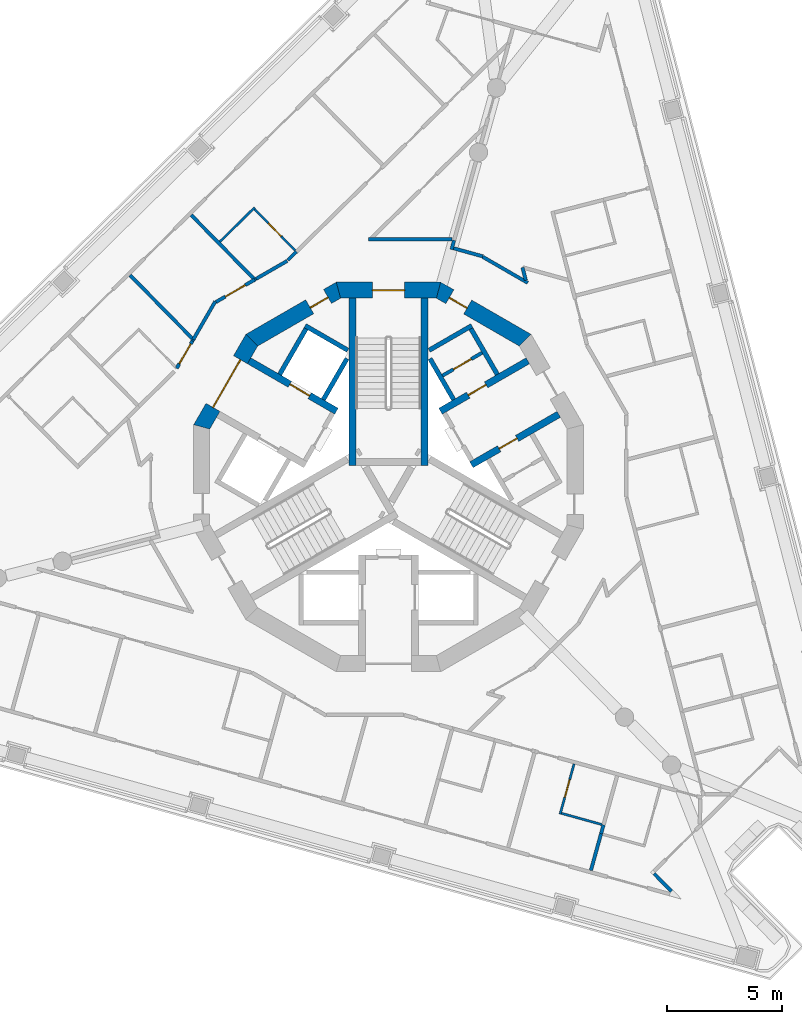
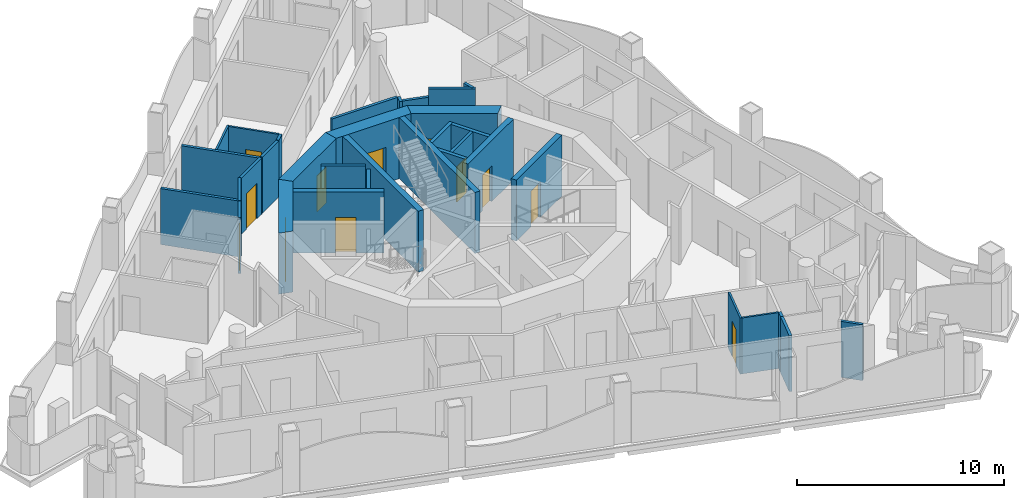
# One storey, part 5 of 14: 35 walls, 12 doors, 12 openings.
"""IFC4 building model written with IfcOpenShell, lengths in metres."""

from ifc_helpers import new_model, si_unit, direction, frame, frame_2d, origin, place, context, subcontext, project, spatial, polyline, rectangle, outline, extrude, material, layer, layer_set, type_object, element, fill, save


model = new_model("IFC4")

# Units and contexts
model_context = context("Model", 3, precision=1e-05, world=origin(), true_north=direction((0.0, 1.0)))
body_context = subcontext(model_context, "Body", "Model", "MODEL_VIEW")
ifc_project = project(units=[si_unit("LENGTHUNIT", "METRE"), si_unit("AREAUNIT", "SQUARE_METRE"), si_unit("VOLUMEUNIT", "CUBIC_METRE"), si_unit("PLANEANGLEUNIT", "RADIAN"), si_unit("MASSUNIT", "GRAM", prefix="KILO")], contexts=[model_context])

# Site, building, storey
site_placement = place(None, origin())
site = spatial("IfcSite", under=ifc_project, at=site_placement, CompositionType="ELEMENT")
building_placement = place(site_placement, origin())
building = spatial("IfcBuilding", under=site, at=building_placement, Name="Trine Commons Tower", CompositionType="ELEMENT")
storey_placement = place(building_placement, frame((0.0, 0.0, 249.300048828125)))
storey = spatial("IfcBuildingStorey", under=building, at=storey_placement, Name="L65", CompositionType="ELEMENT", Elevation=249.300048828125)

# Wall, opening, door
ifc_material_1 = material(Name="Plasterboard partition on steel studs", Category="steel")
ifc_layer_1 = layer(ifc_material_1, 0.14990234375)
ifc_layer_set_1 = layer_set([ifc_layer_1], Name="Plasterboard partition on steel studs")
wall_type_1 = type_object("IfcWallType", Name="Core room partition 150 mm, EI 60", PredefinedType="PARTITIONING", material=ifc_layer_set_1)
wall_1_placement = place(storey_placement, frame((82.35498046875, 66.919921875, 0.0), z_axis=(0.0, 0.0, 1.0), x_axis=(0.866010750942, 0.50002537861, 0.0)))
wall_1 = element("IfcWall", 1, at=wall_1_placement, inside=storey, type_object=wall_type_1, Name="Core room partition L65", PredefinedType="PARTITIONING", context=body_context, shape_type="SweptSolid", body=[
    extrude(rectangle(XDim=2.0, YDim=0.14990234375, at=frame_2d((1.0, 0.0))), origin(), (0.0, 0.0, 1.0), 3.300048828125),
])
opening_1_placement = place(wall_1_placement, frame((0.550537109375, 0.0, 0.0)))
opening_1 = element("IfcOpeningElement", 2, at=opening_1_placement, cuts=wall_1, Name="Opening K15.11", PredefinedType="OPENING", context=body_context, shape_type="SweptSolid", body=[
    extrude(rectangle(XDim=0.89990234375, YDim=2.10009765625, at=frame_2d((0.449951171875, 1.050048828125))), frame((0.0, 0.0849609375, 0.0), z_axis=(0.0, -1.0, 0.0), x_axis=(1.0, 0.0, 0.0)), (0.0, 0.0, 1.0), 0.169921875),
])
ifc_material_2 = material(Name="Steel door leaf, fire-rated", Category="steel")
door_type_1 = type_object("IfcDoorType", Name="Core room door, single leaf 900 x 2100, FD30S", OperationType="SINGLE_SWING_LEFT", PredefinedType="DOOR", material=ifc_material_2)
door_1_placement = place(opening_1_placement, origin())
door_1 = element("IfcDoor", 3, at=door_1_placement, inside=storey, type_object=door_type_1, Name="Door to Parcel store L65", OperationType="SINGLE_SWING_RIGHT", OverallHeight=2.10009765625, OverallWidth=0.89990234375, PredefinedType="DOOR", context=body_context, shape_type="SweptSolid", body=[
    extrude(rectangle(XDim=0.89990234375, YDim=2.10009765625, at=frame_2d((0.449951171875, 1.050048828125))), frame((0.0, 0.02490234375, 0.0), z_axis=(0.0, -1.0, 0.0), x_axis=(1.0, 0.0, 0.0)), (0.0, 0.0, 1.0), 0.050048828125),
])
fill(opening_1, door_1)

# Wall
ifc_material_3 = material(Name="Aluminium-framed insulated wall panel", Category="aluminium")
ifc_layer_2 = layer(ifc_material_3, 0.14990234375)
ifc_layer_set_2 = layer_set([ifc_layer_2], Name="Aluminium-framed insulated wall panel")
wall_type_2 = type_object("IfcWallType", Name="Glazed frame wall 150, EI 60", PredefinedType="SOLIDWALL", material=ifc_layer_set_2)
wall_2_placement = place(storey_placement, frame((91.510498046875, 45.2724609375, 0.0), z_axis=(0.0, 0.0, 1.0), x_axis=(0.700999978355, -0.71316129336, 0.0)))
element("IfcWall", 4, at=wall_2_placement, inside=storey, type_object=wall_type_2, Name="Glazed frame wall R8", PredefinedType="SOLIDWALL", context=body_context, shape_type="SweptSolid", body=[
    extrude(outline(polyline([(0.110107421875, 0.074951171875), (0.110107421875, -0.074951171875), (1.19580078125, -0.074951171875), (1.19580078125, 0.074951171875), (0.110107421875, 0.074951171875)])), origin(), (0.0, 0.0, 1.0), 3.300048828125),
])

# Wall, opening, door
ifc_material_4 = material(Name="Concrete C50/60", Category="concrete")
ifc_layer_3 = layer(ifc_material_4, 0.300048828125)
ifc_layer_set_3 = layer_set([ifc_layer_3], Name="Concrete C50/60")
wall_type_3 = type_object("IfcWallType", Name="RC shear wall 300 mm, C50/60", PredefinedType="SHEAR", material=ifc_layer_set_3)
wall_3_placement = place(storey_placement, frame((77.73095703125, 65.368896484375, 0.0), z_axis=(0.0, 0.0, 1.0), x_axis=(-0.866035918664, 0.499981787252, 0.0)))
wall_3 = element("IfcWall", 5, at=wall_3_placement, inside=storey, type_object=wall_type_3, Name="Core cross wall SWC-02 L65", PredefinedType="SHEAR", context=body_context, shape_type="SweptSolid", body=[
    extrude(rectangle(XDim=4.400634765625, YDim=0.300048828125, at=frame_2d((2.2001953125, 0.0))), origin(), (0.0, 0.0, 1.0), 3.599853515625),
])
opening_2_placement = place(wall_3_placement, frame((1.3505859375, 0.0, 0.0)))
opening_2 = element("IfcOpeningElement", 6, at=opening_2_placement, cuts=wall_3, Name="Opening LD8", PredefinedType="OPENING", context=body_context, shape_type="SweptSolid", body=[
    extrude(rectangle(XDim=1.0, YDim=2.10009765625, at=frame_2d((0.5, 1.050048828125))), frame((0.0, 0.159912109375, 0.0), z_axis=(0.0, -1.0, 0.0), x_axis=(1.0, 0.0, 0.0)), (0.0, 0.0, 1.0), 0.320068359375),
])
ifc_material_5 = material(Name="Stainless steel sliding door leaves", Category="steel")
door_type_2 = type_object("IfcDoorType", Name="Lift landing door, centre-opening sliding 1000 x 2100, FD90", OperationType="DOUBLE_DOOR_SLIDING", PredefinedType="DOOR", material=ifc_material_5)
door_2_placement = place(opening_2_placement, origin())
door_2 = element("IfcDoor", 7, at=door_2_placement, inside=storey, type_object=door_type_2, Name="Lift landing door HR4 L65", OperationType="DOUBLE_DOOR_SLIDING", OverallHeight=2.10009765625, OverallWidth=1.0, PredefinedType="DOOR", context=body_context, shape_type="SweptSolid", body=[
    extrude(rectangle(XDim=1.0, YDim=2.10009765625, at=frame_2d((0.5, 1.050048828125))), frame((0.0, 0.02490234375, 0.0), z_axis=(0.0, -1.0, 0.0), x_axis=(1.0, 0.0, 0.0)), (0.0, 0.0, 1.0), 0.050048828125),
])
fill(opening_2, door_2)

wall_4_placement = place(storey_placement, frame((82.26904296875, 65.368896484375, 0.0), z_axis=(0.0, 0.0, 1.0), x_axis=(0.866035918664, 0.499981787252, 0.0)))
wall_4 = element("IfcWall", 8, at=wall_4_placement, inside=storey, type_object=wall_type_3, Name="Core cross wall SWC-05 L65", PredefinedType="SHEAR", context=body_context, shape_type="SweptSolid", body=[
    extrude(rectangle(XDim=4.400634765625, YDim=0.300048828125, at=frame_2d((2.2001953125, 0.0))), origin(), (0.0, 0.0, 1.0), 3.599853515625),
])
opening_3_placement = place(wall_4_placement, frame((1.400390625, 0.0, 0.0)))
opening_3 = element("IfcOpeningElement", 9, at=opening_3_placement, cuts=wall_4, Name="Opening K15.10", PredefinedType="OPENING", context=body_context, shape_type="SweptSolid", body=[
    extrude(rectangle(XDim=0.89990234375, YDim=2.10009765625, at=frame_2d((0.449951171875, 1.050048828125))), frame((0.0, 0.159912109375, 0.0), z_axis=(0.0, -1.0, 0.0), x_axis=(1.0, 0.0, 0.0)), (0.0, 0.0, 1.0), 0.320068359375),
])
door_3_placement = place(opening_3_placement, origin())
door_3 = element("IfcDoor", 10, at=door_3_placement, inside=storey, type_object=door_type_1, Name="Door to Comms room L65", OperationType="SINGLE_SWING_LEFT", OverallHeight=2.10009765625, OverallWidth=0.89990234375, PredefinedType="DOOR", context=body_context, shape_type="SweptSolid", body=[
    extrude(rectangle(XDim=0.89990234375, YDim=2.10009765625, at=frame_2d((0.449951171875, 1.050048828125))), frame((0.0, 0.02490234375, 0.0), z_axis=(0.0, -1.0, 0.0), x_axis=(1.0, 0.0, 0.0)), (0.0, 0.0, 1.0), 0.050048828125),
])
fill(opening_3, door_3)

wall_5_placement = place(storey_placement, frame((83.618896484375, 63.031005859375, 0.0), z_axis=(0.0, 0.0, 1.0), x_axis=(0.866059941101, 0.499940174841, 0.0)))
wall_5 = element("IfcWall", 11, at=wall_5_placement, inside=storey, type_object=wall_type_3, Name="Core cross wall SWC-06 L65", PredefinedType="SHEAR", context=body_context, shape_type="SweptSolid", body=[
    extrude(rectangle(XDim=4.400390625, YDim=0.300048828125, at=frame_2d((2.2001953125, 0.0))), origin(), (0.0, 0.0, 1.0), 3.599853515625),
])
opening_4_placement = place(wall_5_placement, frame((1.400390625, 0.0, 0.0)))
opening_4 = element("IfcOpeningElement", 12, at=opening_4_placement, cuts=wall_5, Name="Opening K15.12", PredefinedType="OPENING", context=body_context, shape_type="SweptSolid", body=[
    extrude(rectangle(XDim=0.89990234375, YDim=2.10009765625, at=frame_2d((0.449951171875, 1.050048828125))), frame((0.0, 0.159912109375, 0.0), z_axis=(0.0, -1.0, 0.0), x_axis=(1.0, 0.0, 0.0)), (0.0, 0.0, 1.0), 0.320068359375),
])
door_4_placement = place(opening_4_placement, frame((0.89990234375, 0.0, 0.0), z_axis=(0.0, 0.0, 1.0), x_axis=(-1.0, 0.0, 0.0)))
door_4 = element("IfcDoor", 13, at=door_4_placement, inside=storey, type_object=door_type_1, Name="Door to Cleaner's store L65", OperationType="SINGLE_SWING_LEFT", OverallHeight=2.10009765625, OverallWidth=0.89990234375, PredefinedType="DOOR", context=body_context, shape_type="SweptSolid", body=[
    extrude(rectangle(XDim=0.89990234375, YDim=2.10009765625, at=frame_2d((0.449951171875, 1.050048828125))), frame((0.0, 0.02490234375, 0.0), z_axis=(0.0, -1.0, 0.0), x_axis=(1.0, 0.0, 0.0)), (0.0, 0.0, 1.0), 0.050048828125),
])
fill(opening_4, door_4)

# Walls
for number, where, z_axis, x_axis, name in (
    (14, (78.425048828125, 63.0009765625, 0.0), (0.0, 0.0, 1.0), (0.0, 1.0, 0.0), "Core cross wall SWC-08 L65"),
    (15, (81.574951171875, 63.0009765625, 0.0), (0.0, 0.0, 1.0), (0.0, 1.0, 0.0), "Core cross wall SWC-17 L65"),
):
    element("IfcWall", number, at=place(storey_placement, frame(where, z_axis=z_axis, x_axis=x_axis)), inside=storey, type_object=wall_type_3, Name=name, PredefinedType="SHEAR", context=body_context, shape_type="SweptSolid", body=[
        extrude(rectangle(XDim=7.299072265625, YDim=0.300048828125, at=frame_2d((3.6494140625, 0.0))), origin(), (0.0, 0.0, 1.0), 3.599853515625),
    ])

# Wall, opening, door
ifc_layer_4 = layer(ifc_material_4, 0.699951171875)
ifc_layer_set_4 = layer_set([ifc_layer_4], Name="Concrete C50/60")
wall_type_4 = type_object("IfcWallType", Name="RC shear wall 700 mm, C50/60", PredefinedType="SHEAR", material=ifc_layer_set_4)
wall_6_placement = place(storey_placement, frame((86.047607421875, 68.41943359375, 0.0), z_axis=(0.0, 0.0, 1.0), x_axis=(-0.866034756103, 0.499983800959, 0.0)))
wall_6 = element("IfcWall", 16, at=wall_6_placement, inside=storey, type_object=wall_type_4, Name="Core wall CWG-03 L65", PredefinedType="SHEAR", context=body_context, shape_type="SweptSolid", body=[
    extrude(outline(polyline([(0.0, -0.35009765625), (4.55517578125, -0.35009765625), (4.36767578125, 0.35009765625), (0.1875, 0.35009765625), (0.0, -0.35009765625)])), origin(), (0.0, 0.0, 1.0), 3.599853515625),
])
opening_5_placement = place(wall_6_placement, frame((2.990966796875, 0.0, 0.0)))
opening_5 = element("IfcOpeningElement", 17, at=opening_5_placement, cuts=wall_6, Name="Opening K15.14", PredefinedType="OPENING", context=body_context, shape_type="SweptSolid", body=[
    extrude(rectangle(XDim=0.89990234375, YDim=2.10009765625, at=frame_2d((0.449951171875, 1.050048828125))), frame((0.0, 0.35986328125, 0.0), z_axis=(0.0, -1.0, 0.0), x_axis=(1.0, 0.0, 0.0)), (0.0, 0.0, 1.0), 0.719970703125),
])
door_5_placement = place(opening_5_placement, origin())
door_5 = element("IfcDoor", 18, at=door_5_placement, inside=storey, type_object=door_type_1, Name="Door to Core WC L65", OperationType="SINGLE_SWING_RIGHT", OverallHeight=2.10009765625, OverallWidth=0.89990234375, PredefinedType="DOOR", context=body_context, shape_type="SweptSolid", body=[
    extrude(rectangle(XDim=0.89990234375, YDim=2.10009765625, at=frame_2d((0.449951171875, 1.050048828125))), frame((0.0, 0.0751953125, 0.0), z_axis=(0.0, -1.0, 0.0), x_axis=(1.0, 0.0, 0.0)), (0.0, 0.0, 1.0), 0.050048828125),
])
fill(opening_5, door_5)

wall_7_placement = place(storey_placement, frame((82.277587890625, 70.650146484375, 0.0), z_axis=(0.0, 0.0, 1.0), x_axis=(-1.0, 0.0, 0.0)))
wall_7 = element("IfcWall", 19, at=wall_7_placement, inside=storey, type_object=wall_type_4, Name="Core wall CWG-04 L65", PredefinedType="SHEAR", context=body_context, shape_type="SweptSolid", body=[
    extrude(outline(polyline([(0.0, -0.35009765625), (4.55517578125, -0.35009765625), (4.36767578125, 0.35009765625), (0.1875, 0.35009765625), (0.0, -0.35009765625)])), origin(), (0.0, 0.0, 1.0), 3.599853515625),
])
opening_6_placement = place(wall_7_placement, frame((1.57763671875, 0.0, 0.0)))
opening_6 = element("IfcOpeningElement", 20, at=opening_6_placement, cuts=wall_7, Name="Opening K15.01", PredefinedType="OPENING", context=body_context, shape_type="SweptSolid", body=[
    extrude(rectangle(XDim=1.39990234375, YDim=2.10009765625, at=frame_2d((0.699951171875, 1.050048828125))), frame((0.0, 0.35986328125, 0.0), z_axis=(0.0, -1.0, 0.0), x_axis=(1.0, 0.0, 0.0)), (0.0, 0.0, 1.0), 0.719970703125),
])
ifc_material_6 = material(Name="Steel door leaves, fire-rated", Category="steel")
door_type_3 = type_object("IfcDoorType", Name="Stair door, double leaf 1400 x 2100, FD90", OperationType="DOUBLE_DOOR_SINGLE_SWING", PredefinedType="DOOR", material=ifc_material_6)
door_6_placement = place(opening_6_placement, origin())
door_6 = element("IfcDoor", 21, at=door_6_placement, inside=storey, type_object=door_type_3, Name="Stair door to Exit stair ST1C L65", OperationType="DOUBLE_DOOR_SINGLE_SWING", OverallHeight=2.10009765625, OverallWidth=1.39990234375, PredefinedType="DOOR", context=body_context, shape_type="SweptSolid", body=[
    extrude(rectangle(XDim=1.39990234375, YDim=2.10009765625, at=frame_2d((0.699951171875, 1.050048828125))), frame((0.0, 0.02490234375, 0.0), z_axis=(0.0, -1.0, 0.0), x_axis=(1.0, 0.0, 0.0)), (0.0, 0.0, 1.0), 0.050048828125),
])
fill(opening_6, door_6)

wall_8_placement = place(storey_placement, frame((77.8974609375, 70.697021484375, 0.0), z_axis=(0.0, 0.0, 1.0), x_axis=(-0.866034756103, -0.499983800959, 0.0)))
wall_8 = element("IfcWall", 22, at=wall_8_placement, inside=storey, type_object=wall_type_4, Name="Core wall CWG-05 L65", PredefinedType="SHEAR", context=body_context, shape_type="SweptSolid", body=[
    extrude(outline(polyline([(0.0, -0.35009765625), (4.55517578125, -0.35009765625), (4.36767578125, 0.35009765625), (0.1875, 0.35009765625), (0.0, -0.35009765625)])), origin(), (0.0, 0.0, 1.0), 3.599853515625),
])
opening_7_placement = place(wall_8_placement, frame((0.641845703125, 0.0, 0.0)))
opening_7 = element("IfcOpeningElement", 23, at=opening_7_placement, cuts=wall_8, Name="Opening K15.15", PredefinedType="OPENING", context=body_context, shape_type="SweptSolid", body=[
    extrude(rectangle(XDim=0.89990234375, YDim=2.10009765625, at=frame_2d((0.449951171875, 1.050048828125))), frame((0.0, 0.35986328125, 0.0), z_axis=(0.0, -1.0, 0.0), x_axis=(1.0, 0.0, 0.0)), (0.0, 0.0, 1.0), 0.719970703125),
])
door_7_placement = place(opening_7_placement, origin())
door_7 = element("IfcDoor", 24, at=door_7_placement, inside=storey, type_object=door_type_1, Name="Door to Accessible WC L65", OperationType="SINGLE_SWING_LEFT", OverallHeight=2.10009765625, OverallWidth=0.89990234375, PredefinedType="DOOR", context=body_context, shape_type="SweptSolid", body=[
    extrude(rectangle(XDim=0.89990234375, YDim=2.10009765625, at=frame_2d((0.449951171875, 1.050048828125))), frame((0.0, 0.0751953125, 0.0), z_axis=(0.0, -1.0, 0.0), x_axis=(1.0, 0.0, 0.0)), (0.0, 0.0, 1.0), 0.050048828125),
])
fill(opening_7, door_7)

wall_9_placement = place(storey_placement, frame((74.08056640625, 68.547607421875, 0.0), z_axis=(0.0, 0.0, 1.0), x_axis=(-0.499983800959, -0.866034756103, 0.0)))
wall_9 = element("IfcWall", 25, at=wall_9_placement, inside=storey, type_object=wall_type_4, Name="Core wall CWG-06 L65", PredefinedType="SHEAR", context=body_context, shape_type="SweptSolid", body=[
    extrude(outline(polyline([(0.0, -0.35009765625), (4.55517578125, -0.35009765625), (4.36767578125, 0.35009765625), (0.1875, 0.35009765625), (0.0, -0.35009765625)])), origin(), (0.0, 0.0, 1.0), 3.599853515625),
])
opening_8_placement = place(wall_9_placement, frame((1.077392578125, 0.0, 0.0)))
opening_8 = element("IfcOpeningElement", 26, at=opening_8_placement, cuts=wall_9, Name="Opening K15.06", PredefinedType="OPENING", context=body_context, shape_type="SweptSolid", body=[
    extrude(rectangle(XDim=2.39990234375, YDim=2.10009765625, at=frame_2d((1.199951171875, 1.050048828125))), frame((0.0, 0.35986328125, 0.0), z_axis=(0.0, -1.0, 0.0), x_axis=(1.0, 0.0, 0.0)), (0.0, 0.0, 1.0), 0.719970703125),
])
door_type_4 = type_object("IfcDoorType", Name="Lobby door, double leaf 2400 x 2100, FD60", OperationType="DOUBLE_DOOR_SINGLE_SWING", PredefinedType="DOOR", material=ifc_material_6)
door_8_placement = place(opening_8_placement, origin())
door_8 = element("IfcDoor", 27, at=door_8_placement, inside=storey, type_object=door_type_4, Name="Lobby door, Passenger lift lobby B L65", OperationType="DOUBLE_DOOR_SINGLE_SWING", OverallHeight=2.10009765625, OverallWidth=2.39990234375, PredefinedType="DOOR", context=body_context, shape_type="SweptSolid", body=[
    extrude(rectangle(XDim=2.39990234375, YDim=2.10009765625, at=frame_2d((1.199951171875, 1.050048828125))), frame((0.0, 0.02490234375, 0.0), z_axis=(0.0, -1.0, 0.0), x_axis=(1.0, 0.0, 0.0)), (0.0, 0.0, 1.0), 0.050048828125),
])
fill(opening_8, door_8)

# Walls
ifc_material_7 = material(Name="Fire-rated gypsum shaft wall system")
ifc_layer_5 = layer(ifc_material_7, 0.199951171875)
ifc_layer_set_5 = layer_set([ifc_layer_5], Name="Fire-rated gypsum shaft wall system")
wall_type_5 = type_object("IfcWallType", Name="Shaft wall 200 mm, EI 120", PredefinedType="PARTITIONING", material=ifc_layer_set_5)
wall_10_placement = place(storey_placement, frame((75.2509765625, 66.97412109375, 0.0), z_axis=(0.0, 0.0, 1.0), x_axis=(0.500136062276, 0.86594683394, 0.0)))
element("IfcWall", 28, at=wall_10_placement, inside=storey, type_object=wall_type_5, Name="Shaft wall L65", PredefinedType="PARTITIONING", context=body_context, shape_type="SweptSolid", body=[
    extrude(rectangle(XDim=2.299072265625, YDim=0.199951171875, at=frame_2d((1.1494140625, 0.0))), origin(), (0.0, 0.0, 1.0), 3.300048828125),
])
wall_11_placement = place(storey_placement, frame((77.156005859375, 65.8740234375, 0.0), z_axis=(0.0, 0.0, 1.0), x_axis=(0.499865770674, 0.866102887253, 0.0)))
element("IfcWall", 29, at=wall_11_placement, inside=storey, type_object=wall_type_5, Name="Shaft wall L65", PredefinedType="PARTITIONING", context=body_context, shape_type="SweptSolid", body=[
    extrude(rectangle(XDim=2.064453125, YDim=0.199951171875, at=frame_2d((1.0322265625, 0.0))), origin(), (0.0, 0.0, 1.0), 3.300048828125),
])
for number, where, z_axis, x_axis, name in (
    (30, (78.22509765625, 68.028076171875, 0.0), (0.0, 0.0, 1.0), (-0.866130725101, 0.499817533742, 0.0), "Shaft wall L65"),
    (31, (81.77490234375, 68.028076171875, 0.0), (0.0, 0.0, 1.0), (0.866130725101, 0.499817533742, 0.0), "Shaft wall L65"),
):
    element("IfcWall", number, at=place(storey_placement, frame(where, z_axis=z_axis, x_axis=x_axis)), inside=storey, type_object=wall_type_5, Name=name, PredefinedType="PARTITIONING", context=body_context, shape_type="SweptSolid", body=[
        extrude(rectangle(XDim=2.148681640625, YDim=0.199951171875, at=frame_2d((1.07421875, 0.0))), origin(), (0.0, 0.0, 1.0), 3.300048828125),
    ])
wall_12_placement = place(storey_placement, frame((82.843994140625, 65.8740234375, 0.0), z_axis=(0.0, 0.0, 1.0), x_axis=(-0.499865770674, 0.866102887253, 0.0)))
element("IfcWall", 32, at=wall_12_placement, inside=storey, type_object=wall_type_5, Name="Shaft wall L65", PredefinedType="PARTITIONING", context=body_context, shape_type="SweptSolid", body=[
    extrude(rectangle(XDim=2.064453125, YDim=0.199951171875, at=frame_2d((1.0322265625, 0.0))), origin(), (0.0, 0.0, 1.0), 3.300048828125),
])
wall_13_placement = place(storey_placement, frame((84.7490234375, 66.97412109375, 0.0), z_axis=(0.0, 0.0, 1.0), x_axis=(-0.500136062276, 0.86594683394, 0.0)))
element("IfcWall", 33, at=wall_13_placement, inside=storey, type_object=wall_type_5, Name="Shaft wall L65", PredefinedType="PARTITIONING", context=body_context, shape_type="SweptSolid", body=[
    extrude(rectangle(XDim=2.299072265625, YDim=0.199951171875, at=frame_2d((1.1494140625, 0.0))), origin(), (0.0, 0.0, 1.0), 3.300048828125),
])
ifc_material_8 = material(Name="Gypsum plasterboard on steel stud", Category="steel")
ifc_layer_6 = layer(ifc_material_8, 0.14990234375)
ifc_layer_set_6 = layer_set([ifc_layer_6], Name="Gypsum plasterboard on steel stud")
wall_type_6 = type_object("IfcWallType", Name="Unit and corridor wall 150 mm, EI 60", PredefinedType="PARTITIONING", material=ifc_layer_set_6)
wall_14_placement = place(storey_placement, frame((68.720947265625, 71.3076171875, 0.0), z_axis=(0.0, 0.0, 1.0), x_axis=(0.700815785944, -0.713342298039, 0.0)))
element("IfcWall", 34, at=wall_14_placement, inside=storey, type_object=wall_type_6, Name="Partition 020", PredefinedType="PARTITIONING", context=body_context, shape_type="SweptSolid", body=[
    extrude(rectangle(XDim=4.014892578125, YDim=0.14990234375, at=frame_2d((2.00732421875, 0.0))), origin(), (0.0, 0.0, 1.0), 3.300048828125),
])

# Wall, opening, door
wall_15_placement = place(storey_placement, frame((70.758056640625, 67.242919921875, 0.0), z_axis=(0.0, 0.0, 1.0), x_axis=(0.49979916758, 0.866141323391, 0.0)))
wall_15 = element("IfcWall", 35, at=wall_15_placement, inside=storey, type_object=wall_type_6, Name="Partition 028", PredefinedType="PARTITIONING", context=body_context, shape_type="SweptSolid", body=[
    extrude(rectangle(XDim=1.37744140625, YDim=0.14990234375, at=frame_2d((0.688720703125, 0.0))), origin(), (0.0, 0.0, 1.0), 3.300048828125),
])
opening_9_placement = place(wall_15_placement, frame((0.2275390625, 0.0, 0.0)))
opening_9 = element("IfcOpeningElement", 36, at=opening_9_placement, cuts=wall_15, Name="Opening D-7B05", PredefinedType="OPENING", context=body_context, shape_type="SweptSolid", body=[
    extrude(rectangle(XDim=1.0, YDim=2.10009765625, at=frame_2d((0.5, 1.050048828125))), frame((0.0, 0.0849609375, 0.0), z_axis=(0.0, -1.0, 0.0), x_axis=(1.0, 0.0, 0.0)), (0.0, 0.0, 1.0), 0.169921875),
])
ifc_material_9 = material(Name="Timber fire door set", Category="wood")
door_type_5 = type_object("IfcDoorType", Name="Bedroom door 1000 x 2100, FD30S", OperationType="NOTDEFINED", PredefinedType="DOOR", material=ifc_material_9)
door_9_placement = place(opening_9_placement, origin())
door_9 = element("IfcDoor", 37, at=door_9_placement, inside=storey, type_object=door_type_5, Name="Door D-7B05", OperationType="SINGLE_SWING_RIGHT", OverallHeight=2.10009765625, OverallWidth=1.0, PredefinedType="DOOR", context=body_context, shape_type="SweptSolid", body=[
    extrude(rectangle(XDim=1.0, YDim=2.10009765625, at=frame_2d((0.5, 1.050048828125))), frame((0.0, 0.02490234375, 0.0), z_axis=(0.0, -1.0, 0.0), x_axis=(1.0, 0.0, 0.0)), (0.0, 0.0, 1.0), 0.050048828125),
])
fill(opening_9, door_9)

# Walls
wall_16_placement = place(storey_placement, frame((71.389892578125, 73.931396484375, 0.0), z_axis=(0.0, 0.0, 1.0), x_axis=(0.700963396894, -0.713197249164, 0.0)))
element("IfcWall", 38, at=wall_16_placement, inside=storey, type_object=wall_type_6, Name="Partition 029", PredefinedType="PARTITIONING", context=body_context, shape_type="SweptSolid", body=[
    extrude(rectangle(XDim=4.03125, YDim=0.14990234375, at=frame_2d((2.015625, 0.0))), origin(), (0.0, 0.0, 1.0), 3.300048828125),
])
wall_17_placement = place(storey_placement, frame((71.47998046875, 68.493896484375, 0.0), z_axis=(0.0, 0.0, 1.0), x_axis=(0.500205717672, 0.865906600049, 0.0)))
element("IfcWall", 39, at=wall_17_placement, inside=storey, type_object=wall_type_6, Name="Partition 030", PredefinedType="PARTITIONING", context=body_context, shape_type="SweptSolid", body=[
    extrude(rectangle(XDim=1.924072265625, YDim=0.14990234375, at=frame_2d((0.9619140625, 0.0))), origin(), (0.0, 0.0, 1.0), 3.300048828125),
])

# Wall, opening, door
wall_18_placement = place(storey_placement, frame((72.469970703125, 70.132568359375, 0.0), z_axis=(0.0, 0.0, 1.0), x_axis=(0.865963449651, 0.500107292357, 0.0)))
wall_18 = element("IfcWall", 40, at=wall_18_placement, inside=storey, type_object=wall_type_6, Name="Partition 031", PredefinedType="PARTITIONING", context=body_context, shape_type="SweptSolid", body=[
    extrude(rectangle(XDim=1.95849609375, YDim=0.14990234375, at=frame_2d((0.979248046875, 0.0))), origin(), (0.0, 0.0, 1.0), 3.300048828125),
])
opening_10_placement = place(wall_18_placement, frame((0.4775390625, 0.0, 0.0)))
opening_10 = element("IfcOpeningElement", 41, at=opening_10_placement, cuts=wall_18, Name="Opening D-7B06", PredefinedType="OPENING", context=body_context, shape_type="SweptSolid", body=[
    extrude(rectangle(XDim=1.0, YDim=2.10009765625, at=frame_2d((0.5, 1.050048828125))), frame((0.0, 0.0849609375, 0.0), z_axis=(0.0, -1.0, 0.0), x_axis=(1.0, 0.0, 0.0)), (0.0, 0.0, 1.0), 0.169921875),
])
ifc_material_10 = material(Name="Painted timber", Category="wood")
door_type_6 = type_object("IfcDoorType", Name="Amenity room door 1000 x 2100, NOT RATED", OperationType="NOTDEFINED", PredefinedType="DOOR", material=ifc_material_10)
door_10_placement = place(opening_10_placement, origin())
door_10 = element("IfcDoor", 42, at=door_10_placement, inside=storey, type_object=door_type_6, Name="Door D-7B06", OperationType="SINGLE_SWING_LEFT", OverallHeight=2.10009765625, OverallWidth=1.0, PredefinedType="DOOR", context=body_context, shape_type="SweptSolid", body=[
    extrude(rectangle(XDim=1.0, YDim=2.10009765625, at=frame_2d((0.5, 1.050048828125))), frame((0.0, 0.02490234375, 0.0), z_axis=(0.0, -1.0, 0.0), x_axis=(1.0, 0.0, 0.0)), (0.0, 0.0, 1.0), 0.050048828125),
])
fill(opening_10, door_10)

# Walls
wall_19_placement = place(storey_placement, frame((74.22412109375, 71.1455078125, 0.0), z_axis=(0.0, 0.0, 1.0), x_axis=(0.866052944554, 0.499952294954, 0.0)))
element("IfcWall", 43, at=wall_19_placement, inside=storey, type_object=wall_type_6, Name="Partition 038", PredefinedType="PARTITIONING", context=body_context, shape_type="SweptSolid", body=[
    extrude(rectangle(XDim=1.563232421875, YDim=0.14990234375, at=frame_2d((0.78173828125, 0.0))), origin(), (0.0, 0.0, 1.0), 3.300048828125),
])
wall_20_placement = place(storey_placement, frame((75.60498046875, 71.9599609375, 0.0), z_axis=(0.0, 0.0, 1.0), x_axis=(0.713530452505, 0.70062421693, 0.0)))
element("IfcWall", 44, at=wall_20_placement, inside=storey, type_object=wall_type_6, Name="Partition 041", PredefinedType="PARTITIONING", context=body_context, shape_type="SweptSolid", body=[
    extrude(rectangle(XDim=0.529541015625, YDim=0.14990234375, at=frame_2d((0.2646484375, 0.0))), origin(), (0.0, 0.0, 1.0), 3.300048828125),
])
wall_21_placement = place(storey_placement, frame((79.133056640625, 72.875, 0.0), z_axis=(0.0, 0.0, 1.0), x_axis=(1.0, 0.0, 0.0)))
element("IfcWall", 45, at=wall_21_placement, inside=storey, type_object=wall_type_6, Name="Partition 046", PredefinedType="PARTITIONING", context=body_context, shape_type="SweptSolid", body=[
    extrude(rectangle(XDim=3.64697265625, YDim=0.14990234375, at=frame_2d((1.823486328125, 0.0))), origin(), (0.0, 0.0, 1.0), 2.800048828125),
])
wall_22_placement = place(storey_placement, frame((82.7529296875, 72.42578125, 0.0), z_axis=(0.0, 0.0, 1.0), x_axis=(0.266887464326, 0.96372770085, 0.0)))
element("IfcWall", 46, at=wall_22_placement, inside=storey, type_object=wall_type_6, Name="Partition 055", PredefinedType="PARTITIONING", context=body_context, shape_type="SweptSolid", body=[
    extrude(rectangle(XDim=0.416259765625, YDim=0.14990234375, at=frame_2d((0.2080078125, 0.0))), origin(), (0.0, 0.0, 1.0), 2.800048828125),
])
wall_23_placement = place(storey_placement, frame((82.84521484375, 72.477783203125, 0.0), z_axis=(0.0, 0.0, 1.0), x_axis=(0.963623826389, -0.267262270467, 0.0)))
element("IfcWall", 47, at=wall_23_placement, inside=storey, type_object=wall_type_6, Name="Partition 056", PredefinedType="PARTITIONING", context=body_context, shape_type="SweptSolid", body=[
    extrude(rectangle(XDim=1.320068359375, YDim=0.14990234375, at=frame_2d((0.66015625, 0.0))), origin(), (0.0, 0.0, 1.0), 2.800048828125),
])
wall_24_placement = place(storey_placement, frame((84.10986328125, 72.107421875, 0.0), z_axis=(0.0, 0.0, 1.0), x_axis=(0.865965412825, -0.500103892997, 0.0)))
element("IfcWall", 48, at=wall_24_placement, inside=storey, type_object=wall_type_6, Name="Partition 060", PredefinedType="PARTITIONING", context=body_context, shape_type="SweptSolid", body=[
    extrude(rectangle(XDim=2.271484375, YDim=0.14990234375, at=frame_2d((1.1357421875, 0.0))), origin(), (0.0, 0.0, 1.0), 3.300048828125),
])
wall_25_placement = place(storey_placement, frame((85.847900390625, 71.64208984375, 0.0), z_axis=(0.0, 0.0, 1.0), x_axis=(0.250859734684, -0.968023446779, 0.0)))
element("IfcWall", 49, at=wall_25_placement, inside=storey, type_object=wall_type_6, Name="Partition 068", PredefinedType="PARTITIONING", context=body_context, shape_type="SweptSolid", body=[
    extrude(rectangle(XDim=0.5791015625, YDim=0.14990234375, at=frame_2d((0.28955078125, 0.0))), origin(), (0.0, 0.0, 1.0), 3.300048828125),
])
wall_26_placement = place(storey_placement, frame((88.832763671875, 45.327392578125, 0.0), z_axis=(0.0, 0.0, 1.0), x_axis=(0.266961047932, 0.963707320138, 0.0)))
element("IfcWall", 50, at=wall_26_placement, inside=storey, type_object=wall_type_6, Name="Partition 084", PredefinedType="PARTITIONING", context=body_context, shape_type="SweptSolid", body=[
    extrude(rectangle(XDim=1.659912109375, YDim=0.14990234375, at=frame_2d((0.830078125, 0.0))), origin(), (0.0, 0.0, 1.0), 3.300048828125),
])
wall_27_placement = place(storey_placement, frame((89.27587890625, 46.927001953125, 0.0), z_axis=(0.0, 0.0, 1.0), x_axis=(0.267924588636, 0.963439886451, 0.0)))
element("IfcWall", 51, at=wall_27_placement, inside=storey, type_object=wall_type_6, Name="Partition 085", PredefinedType="PARTITIONING", context=body_context, shape_type="SweptSolid", body=[
    extrude(rectangle(XDim=0.403564453125, YDim=0.14990234375, at=frame_2d((0.20166015625, 0.0))), origin(), (0.0, 0.0, 1.0), 3.300048828125),
])
ifc_layer_7 = layer(ifc_material_8, 0.10009765625)
ifc_layer_set_7 = layer_set([ifc_layer_7], Name="Gypsum plasterboard on steel stud")
wall_type_7 = type_object("IfcWallType", Name="Unit partition 100 mm, no rating", PredefinedType="PARTITIONING", material=ifc_layer_set_7)
wall_28_placement = place(storey_placement, frame((72.642578125, 72.7646484375, 0.0), z_axis=(0.0, 0.0, 1.0), x_axis=(0.713113671813, 0.701048422773, 0.0)))
element("IfcWall", 52, at=wall_28_placement, inside=storey, type_object=wall_type_7, Name="Partition 032", PredefinedType="PARTITIONING", context=body_context, shape_type="SweptSolid", body=[
    extrude(rectangle(XDim=2.124755859375, YDim=0.10009765625, at=frame_2d((1.0625, 0.0))), origin(), (0.0, 0.0, 1.0), 3.300048828125),
])

# Wall, opening, door
wall_29_placement = place(storey_placement, frame((74.156982421875, 74.183349609375, 0.0), z_axis=(0.0, 0.0, 1.0), x_axis=(0.700894228611, -0.713265224373, 0.0)))
wall_29 = element("IfcWall", 53, at=wall_29_placement, inside=storey, type_object=wall_type_7, Name="Partition 037", PredefinedType="PARTITIONING", context=body_context, shape_type="SweptSolid", body=[
    extrude(rectangle(XDim=2.526123046875, YDim=0.10009765625, at=frame_2d((1.26318359375, 0.0))), origin(), (0.0, 0.0, 1.0), 3.300048828125),
])
opening_11_placement = place(wall_29_placement, frame((0.863037109375, 0.0, 0.0)))
opening_11 = element("IfcOpeningElement", 54, at=opening_11_placement, cuts=wall_29, Name="Opening D-7B28", PredefinedType="OPENING", context=body_context, shape_type="SweptSolid", body=[
    extrude(rectangle(XDim=0.800048828125, YDim=2.10009765625, at=frame_2d((0.39990234375, 1.050048828125))), frame((0.0, 0.06005859375, 0.0), z_axis=(0.0, -1.0, 0.0), x_axis=(1.0, 0.0, 0.0)), (0.0, 0.0, 1.0), 0.1201171875),
])
door_type_7 = type_object("IfcDoorType", Name="Internal door 800 x 2100, NOT RATED", OperationType="NOTDEFINED", PredefinedType="DOOR", material=ifc_material_10)
door_11_placement = place(opening_11_placement, origin())
door_11 = element("IfcDoor", 55, at=door_11_placement, inside=storey, type_object=door_type_7, Name="Door D-7B28", OperationType="SINGLE_SWING_LEFT", OverallHeight=2.10009765625, OverallWidth=0.800048828125, PredefinedType="DOOR", context=body_context, shape_type="SweptSolid", body=[
    extrude(rectangle(XDim=0.800048828125, YDim=2.10009765625, at=frame_2d((0.39990234375, 1.050048828125))), frame((0.0, 0.02490234375, 0.0), z_axis=(0.0, -1.0, 0.0), x_axis=(1.0, 0.0, 0.0)), (0.0, 0.0, 1.0), 0.050048828125),
])
fill(opening_11, door_11)

wall_30_placement = place(storey_placement, frame((87.490478515625, 47.785888671875, 0.0), z_axis=(0.0, 0.0, 1.0), x_axis=(0.267056991967, 0.963680737092, 0.0)))
wall_30 = element("IfcWall", 56, at=wall_30_placement, inside=storey, type_object=wall_type_7, Name="Partition 074", PredefinedType="PARTITIONING", context=body_context, shape_type="SweptSolid", body=[
    extrude(rectangle(XDim=2.2744140625, YDim=0.10009765625, at=frame_2d((1.13720703125, 0.0))), origin(), (0.0, 0.0, 1.0), 3.300048828125),
])
opening_12_placement = place(wall_30_placement, frame((0.76220703125, 0.0, 0.0)))
opening_12 = element("IfcOpeningElement", 57, at=opening_12_placement, cuts=wall_30, Name="Opening D-7B36", PredefinedType="OPENING", context=body_context, shape_type="SweptSolid", body=[
    extrude(rectangle(XDim=0.800048828125, YDim=2.10009765625, at=frame_2d((0.39990234375, 1.050048828125))), frame((0.0, 0.06005859375, 0.0), z_axis=(0.0, -1.0, 0.0), x_axis=(1.0, 0.0, 0.0)), (0.0, 0.0, 1.0), 0.1201171875),
])
door_12_placement = place(opening_12_placement, origin())
door_12 = element("IfcDoor", 58, at=door_12_placement, inside=storey, type_object=door_type_7, Name="Door D-7B36", OperationType="SINGLE_SWING_RIGHT", OverallHeight=2.10009765625, OverallWidth=0.800048828125, PredefinedType="DOOR", context=body_context, shape_type="SweptSolid", body=[
    extrude(rectangle(XDim=0.800048828125, YDim=2.10009765625, at=frame_2d((0.39990234375, 1.050048828125))), frame((0.0, 0.02490234375, 0.0), z_axis=(0.0, -1.0, 0.0), x_axis=(1.0, 0.0, 0.0)), (0.0, 0.0, 1.0), 0.050048828125),
])
fill(opening_12, door_12)

# Wall
wall_31_placement = place(storey_placement, frame((87.55224609375, 47.820556640625, 0.0), z_axis=(0.0, 0.0, 1.0), x_axis=(0.963512160179, -0.267664560949, 0.0)))
element("IfcWall", 59, at=wall_31_placement, inside=storey, type_object=wall_type_7, Name="Partition 075", PredefinedType="PARTITIONING", context=body_context, shape_type="SweptSolid", body=[
    extrude(rectangle(XDim=1.8251953125, YDim=0.10009765625, at=frame_2d((0.91259765625, 0.0))), origin(), (0.0, 0.0, 1.0), 3.300048828125),
])

save(model, "model.ifc")
